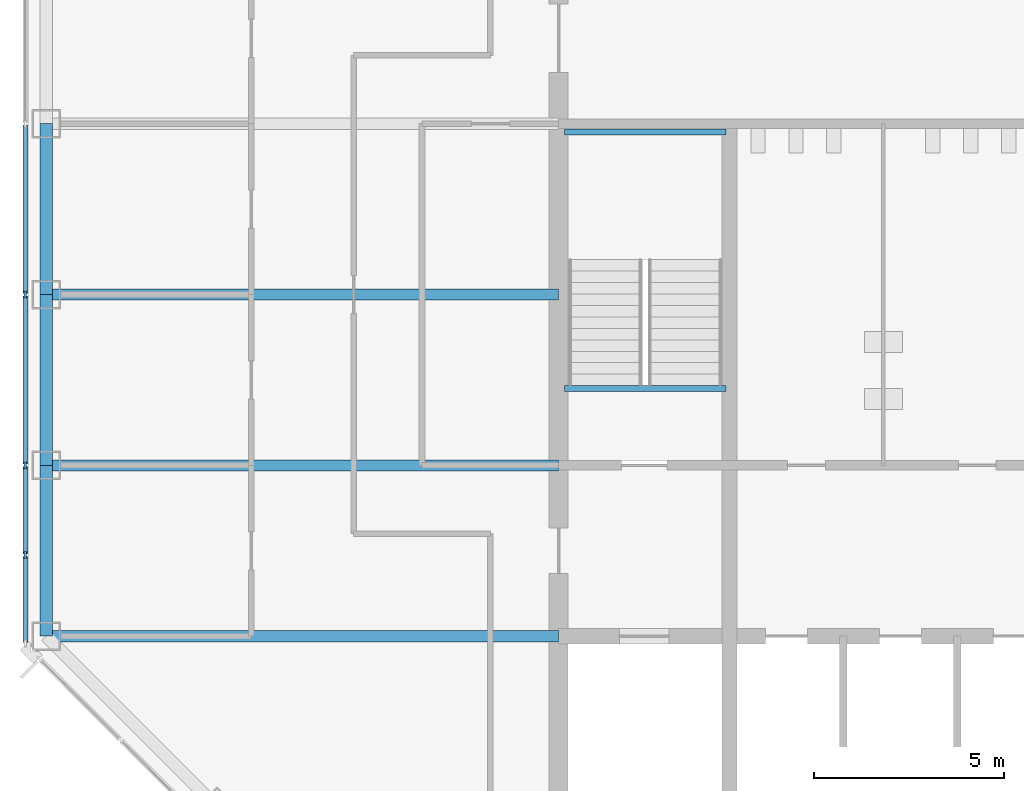
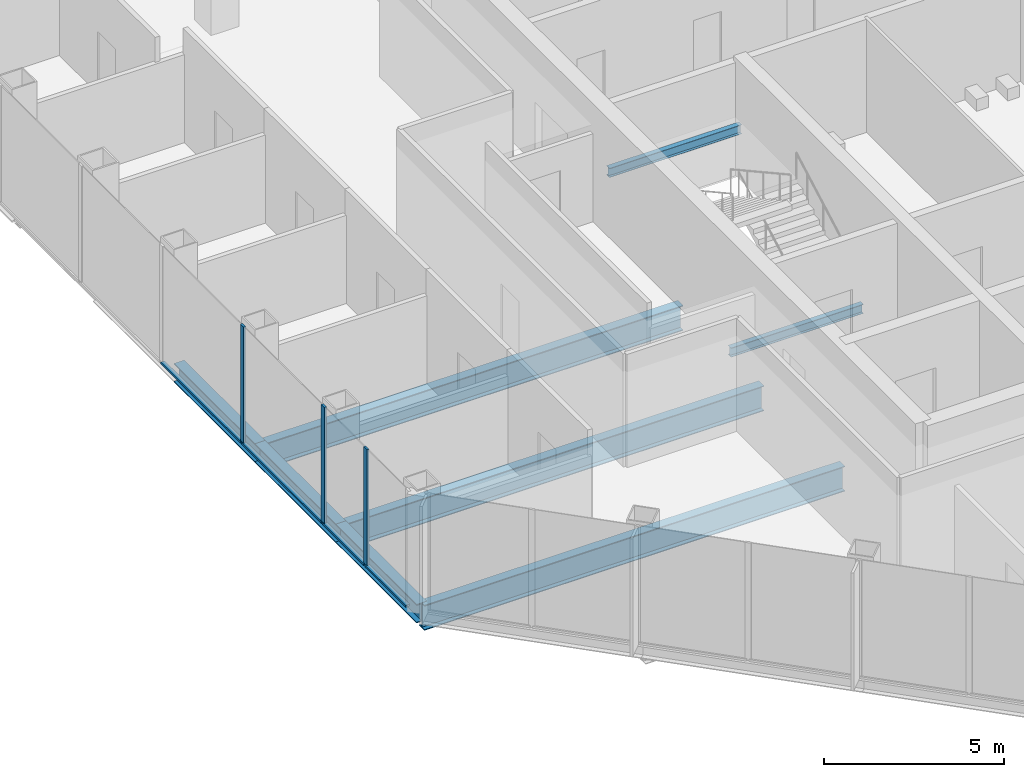
# One storey, part 3 of 13: 8 beams, 7 members, 1 element without a shape of its own.
"""IFC4 building model written with IfcOpenShell, lengths in metres."""

import ifcopenshell
import ifcopenshell.guid

model = None  # the IFC model being written
_history = None  # IfcOwnerHistory: only IFC2X3 demands one
_inside = {}  # id of a spatial element -> (the spatial element, [elements in it])
_under = {}  # id of a project, library or spatial element -> (it, [spatial elements below it])
_declared = {}  # id of a project -> (the project, [libraries it declares])
_typed = {}  # id of a type object -> (the type object, [elements of that type])
_made_of = {}  # id of a material, layer set ... -> (it, [elements and type objects made of it])


def new_model(schema):
    """Start an empty IFC model of exactly this schema.

    Asked for "IFC4X3", IfcOpenShell would pick the latest addendum, in which some entities
    have other attributes; the version numbers below select the first issue.
    IFC2X3 requires an IfcOwnerHistory on every rooted entity: one is made here for all.
    """
    global model, _history
    if schema == "IFC4X3":
        model = ifcopenshell.file(schema_version=(4, 3, 0, 0))
    else:
        model = ifcopenshell.file(schema=schema)
    _inside.clear()
    _under.clear()
    _declared.clear()
    _typed.clear()
    _made_of.clear()
    _history = None
    if model.schema == "IFC2X3":
        org = make("IfcOrganization", Name="unknown")
        user = make(
            "IfcPersonAndOrganization",
            ThePerson=make("IfcPerson", FamilyName="unknown"),
            TheOrganization=org,
        )
        app = make(
            "IfcApplication",
            ApplicationDeveloper=org,
            Version="unknown",
            ApplicationFullName="unknown",
            ApplicationIdentifier="unknown",
        )
        _history = make(
            "IfcOwnerHistory",
            OwningUser=user,
            OwningApplication=app,
            ChangeAction="ADDED",
            CreationDate=0,
        )
    return model


def make(cls, **values):
    """One entity of the class cls with the attributes given. An attribute that is None is left unset."""
    return model.create_entity(
        cls, **{name: value for name, value in values.items() if value is not None}
    )


def rooted(cls, **values):
    """An entity with a GlobalId (a new one), such as an element, a storey or a relation."""
    return make(cls, GlobalId=ifcopenshell.guid.new(), OwnerHistory=_history, **values)


def si_unit(unit_type, name, prefix=None):
    """IfcSIUnit, for example si_unit("LENGTHUNIT", "METRE", prefix="MILLI")."""
    return make("IfcSIUnit", UnitType=unit_type, Prefix=prefix, Name=name)


def assignment(units):
    """IfcUnitAssignment: the units of a project."""
    return None if units is None else make("IfcUnitAssignment", Units=units)


def point(xyz):
    """IfcCartesianPoint."""
    return None if xyz is None else make("IfcCartesianPoint", Coordinates=xyz)


def direction(xyz):
    """IfcDirection."""
    return None if xyz is None else make("IfcDirection", DirectionRatios=xyz)


def frame(location, z_axis=None, x_axis=None):
    """IfcAxis2Placement3D, a coordinate frame: its origin and axes. An axis left out is left unset."""
    return make(
        "IfcAxis2Placement3D",
        Location=point(location),
        Axis=direction(z_axis),
        RefDirection=direction(x_axis),
    )


def frame_2d(location, x_axis=None):
    """IfcAxis2Placement2D, a coordinate frame in the plane: its origin and x axis."""
    return make(
        "IfcAxis2Placement2D", Location=point(location), RefDirection=direction(x_axis)
    )


def origin():
    """The frame at (0, 0, 0) with its axes left unset."""
    return frame((0.0, 0.0, 0.0))


def origin_2d():
    """The frame at (0, 0) in the plane with its x axis left unset."""
    return frame_2d((0.0, 0.0))


def place(relative_to, where):
    """IfcLocalPlacement: puts the frame where relative to a parent placement (None: the world)."""
    return make(
        "IfcLocalPlacement", PlacementRelTo=relative_to, RelativePlacement=where
    )


def context(
    kind, dimensions, precision=None, world=None, true_north=None, identifier=None
):
    """IfcGeometricRepresentationContext, for example the 3D "Model" context."""
    return make(
        "IfcGeometricRepresentationContext",
        ContextIdentifier=identifier,
        ContextType=kind,
        CoordinateSpaceDimension=dimensions,
        Precision=precision,
        WorldCoordinateSystem=world,
        TrueNorth=true_north,
    )


def subcontext(parent, identifier, kind, view, scale=None):
    """IfcGeometricRepresentationSubContext, for example "Body" below "Model"."""
    return make(
        "IfcGeometricRepresentationSubContext",
        ContextIdentifier=identifier,
        ContextType=kind,
        ParentContext=parent,
        TargetScale=scale,
        TargetView=view,
    )


def project(units=None, contexts=None):
    """IfcProject with its units and contexts."""
    return rooted(
        "IfcProject",
        Name="project",
        RepresentationContexts=contexts,
        UnitsInContext=assignment(units),
    )


def spatial(cls, under=None, at=None, **own):
    """A site, building, storey or space (cls), placed at a placement, below another one or the project."""
    s = rooted(cls, ObjectPlacement=at, **own)
    if under is not None:
        _under.setdefault(under.id(), (under, []))[1].append(s)
    return s


def profile(cls, at=None, kind="AREA", **sizes):
    """A parametric profile (cls). Its sizes go by their IFC names, for example OverallWidth=200.0."""
    return make(cls, ProfileType=kind, Position=at, **sizes)


def rectangle(**sizes):
    """IfcRectangleProfileDef."""
    return profile("IfcRectangleProfileDef", **sizes)


def i_section(**sizes):
    """IfcIShapeProfileDef."""
    return profile("IfcIShapeProfileDef", **sizes)


def extrude(swept, where, along, depth):
    """IfcExtrudedAreaSolid: the profile swept, set in the frame where, extruded along a direction by depth."""
    return make(
        "IfcExtrudedAreaSolid",
        SweptArea=swept,
        Position=where,
        ExtrudedDirection=direction(along),
        Depth=depth,
    )


def shape(context_of_items, identifier, shape_type, items):
    """IfcShapeRepresentation: the items that make up one representation, for example the "Body"."""
    return make(
        "IfcShapeRepresentation",
        ContextOfItems=context_of_items,
        RepresentationIdentifier=identifier,
        RepresentationType=shape_type,
        Items=items,
    )


def material(Name=None, Category=None):
    """IfcMaterial."""
    return make("IfcMaterial", Name=Name, Category=Category)


def material_profile(
    of_material, cross_section, Name=None, Category=None, Priority=None
):
    """IfcMaterialProfile: a cross section and its material."""
    return make(
        "IfcMaterialProfile",
        Name=Name,
        Material=of_material,
        Profile=cross_section,
        Priority=Priority,
        Category=Category,
    )


def profile_set(profiles, Name=None, composite=None):
    """IfcMaterialProfileSet."""
    return make(
        "IfcMaterialProfileSet",
        Name=Name,
        MaterialProfiles=profiles,
        CompositeProfile=composite,
    )


def made_of(thing, what):
    """Note that an element or type object is made of a material, layer set ...; save() writes the relation."""
    if what is not None:
        _made_of.setdefault(what.id(), (what, []))[1].append(thing)
    return thing


def type_object(cls, material=None, **own):
    """A type object (cls), such as IfcWallType, which elements share."""
    return made_of(rooted(cls, **own), material)


def element(
    cls,
    number,
    at=None,
    inside=None,
    cuts=None,
    type_object=None,
    material=None,
    context=None,
    identifier="Body",
    shape_type=None,
    held_by="IfcProductDefinitionShape",
    body=None,
    shapes=None,
    **own,
):
    """One element of the class cls, such as IfcWall. Its Tag is "e" and its number.

    at: its placement. inside: the storey or other place that contains it. cuts: it is an
    opening in that element (IfcRelVoidsElement). A single representation is given by context,
    identifier, shape_type and body (its items); several are given by shapes. held_by: the class
    of the entity that holds the representations. save() writes the other relations.
    """
    e = rooted(cls, Tag="e%d" % number, ObjectPlacement=at, **own)
    if body is not None:
        shapes = [shape(context, identifier, shape_type, body)]
    if shapes is not None:
        e.Representation = make(held_by, Representations=shapes)
    if inside is not None:
        _inside.setdefault(inside.id(), (inside, []))[1].append(e)
    if cuts is not None:
        rooted(
            "IfcRelVoidsElement", RelatingBuildingElement=cuts, RelatedOpeningElement=e
        )
    if type_object is not None:
        _typed.setdefault(type_object.id(), (type_object, []))[1].append(e)
    return made_of(e, material)


def aggregate(whole, parts):
    """IfcRelAggregates: a whole, such as a stair, and the parts it consists of."""
    return rooted("IfcRelAggregates", RelatingObject=whole, RelatedObjects=parts)


def save(model, path):
    """Write the relations noted so far, then the file.

    IfcRelAggregates (storeys below a building ...), IfcRelContainedInSpatialStructure (elements
    in a storey), IfcRelDefinesByType, IfcRelAssociatesMaterial and IfcRelDeclares: one each for
    every whole, place, type object, material and project.
    """
    for whole, parts in _under.values():
        aggregate(whole, parts)
    for where, things in _inside.values():
        rooted(
            "IfcRelContainedInSpatialStructure",
            RelatedElements=things,
            RelatingStructure=where,
        )
    for kind, things in _typed.values():
        rooted("IfcRelDefinesByType", RelatedObjects=things, RelatingType=kind)
    for what, things in _made_of.values():
        rooted("IfcRelAssociatesMaterial", RelatedObjects=things, RelatingMaterial=what)
    for by, libraries in _declared.values():
        rooted("IfcRelDeclares", RelatingContext=by, RelatedDefinitions=libraries)
    model.write(path)


model = new_model("IFC4")

# Units and contexts
model_context = context("Model", 3, precision=1e-05, world=origin(), true_north=direction((0.0, 1.0)))
body_context = subcontext(model_context, "Body", "Model", "MODEL_VIEW")
ifc_project = project(units=[si_unit("LENGTHUNIT", "METRE"), si_unit("AREAUNIT", "SQUARE_METRE"), si_unit("VOLUMEUNIT", "CUBIC_METRE"), si_unit("PLANEANGLEUNIT", "RADIAN"), si_unit("MASSUNIT", "GRAM", prefix="KILO")], contexts=[model_context])

# Site, building, storey
site_placement = place(None, origin())
site = spatial("IfcSite", under=ifc_project, at=site_placement, CompositionType="ELEMENT")
building_placement = place(site_placement, origin())
building = spatial("IfcBuilding", under=site, at=building_placement, Name="Corais Broadcast Tower", CompositionType="ELEMENT")
storey_placement = place(building_placement, frame((0.0, 0.0, 151.60009765625)))
storey = spatial("IfcBuildingStorey", under=building, at=storey_placement, Name="L34", CompositionType="ELEMENT", Elevation=151.60009765625)

# Beams
ifc_material_1 = material(Name="Steel ASTM A572 Grade 50", Category="steel")
ifc_material_profile_1 = material_profile(ifc_material_1, i_section(OverallWidth=0.2939453125, OverallDepth=0.85107421875, WebThickness=0.01611328125, FlangeThickness=0.02685546875, at=origin_2d()), Name="W840x226")
ifc_profile_set_1 = profile_set([ifc_material_profile_1], Name="Steel ASTM A572 Grade 50")
beam_type_1 = type_object("IfcBeamType", Name="Floor beam W840x226", PredefinedType="BEAM", material=ifc_profile_set_1)
for number, where, z_axis, x_axis, name in (
    (1, (0.0, 18.0, -0.585693359375), (1.0, 0.0, 0.0), (0.0, 1.0, 0.0), "B1 E/3 to E/6"),
    (2, (0.0, 22.5, -0.585693359375), (1.0, 0.0, 0.0), (0.0, 1.0, 0.0), "B1 F/3 to F/6"),
    (3, (0.0, 27.0, -0.585693359375), (1.0, 0.0, 0.0), (0.0, 1.0, 0.0), "B1 G/3 to G/6"),
):
    element("IfcBeam", number, at=place(storey_placement, frame(where, z_axis=z_axis, x_axis=x_axis)), inside=storey, type_object=beam_type_1, Name=name, PredefinedType="BEAM", context=body_context, shape_type="SweptSolid", body=[
        extrude(i_section(OverallWidth=0.2939453125, OverallDepth=0.85107421875, WebThickness=0.01611328125, FlangeThickness=0.02685546875, at=origin_2d()), origin(), (0.0, 0.0, 1.0), 13.5),
    ])
ifc_material_2 = material(Name="Steel ASTM A572 Grade 50", Category="steel")
ifc_material_profile_2 = material_profile(ifc_material_2, i_section(OverallWidth=0.1650390625, OverallDepth=0.31005859375, WebThickness=0.005859375, FlangeThickness=0.009765625, at=origin_2d()), Name="W310x38.7")
ifc_profile_set_2 = profile_set([ifc_material_profile_2], Name="Steel ASTM A572 Grade 50")
beam_type_2 = type_object("IfcBeamType", Name="Landing trimmer W310x38.7", PredefinedType="BEAM", material=ifc_profile_set_2)
for number, where, z_axis, x_axis, name in (
    (4, (13.64990234375, 24.52490234375, -0.35498046875), (1.0, 0.0, 0.0), (0.0, 1.0, 0.0), "LT1 stair A landing trimmer L34"),
    (5, (13.64990234375, 31.284912109375, 1.64501953125), (1.0, 0.0, 0.0), (0.0, 1.0, 0.0), "LT1 stair A half landing trimmer L34"),
):
    element("IfcBeam", number, at=place(storey_placement, frame(where, z_axis=z_axis, x_axis=x_axis)), inside=storey, type_object=beam_type_2, Name=name, PredefinedType="BEAM", context=body_context, shape_type="SweptSolid", body=[
        extrude(i_section(OverallWidth=0.1650390625, OverallDepth=0.31005859375, WebThickness=0.005859375, FlangeThickness=0.009765625, at=origin_2d()), origin(), (0.0, 0.0, 1.0), 4.25),
    ])

# Curtain wall, members
ifc_material_3 = material(Name="Aluminium and glass", Category="aluminium")
curtain_wall_type = type_object("IfcCurtainWallType", Name="Unitised fritted curtain wall CW2", PredefinedType="NOTDEFINED", material=ifc_material_3)
curtain_wall_placement = place(storey_placement, origin())
curtain_wall = element("IfcCurtainWall", 6, at=curtain_wall_placement, inside=storey, type_object=curtain_wall_type, Name="CW2 curtain wall L34 2", PredefinedType="NOTDEFINED")
ifc_material_4 = material(Name="Aluminium 6063-T6", Category="aluminium")
ifc_material_profile_3 = material_profile(ifc_material_4, rectangle(XDim=0.06494140625, YDim=0.179931640625, at=origin_2d()), Name="Mullion CW2 65x180")
ifc_profile_set_3 = profile_set([ifc_material_profile_3], Name="Aluminium 6063-T6")
member_type_1 = type_object("IfcMemberType", Name="Mullion CW2 65x180", PredefinedType="MULLION", material=ifc_profile_set_3)
member_1_placement = place(storey_placement, frame((-0.550048828125, 20.135986328125, 0.0), z_axis=(0.0, 0.0, 1.0), x_axis=(-1.0, 0.0, 0.0)))
member_1 = element("IfcMember", 7, at=member_1_placement, type_object=member_type_1, Name="CW2 mullion 2", PredefinedType="MULLION", context=body_context, shape_type="SweptSolid", body=[
    extrude(rectangle(XDim=0.06494140625, YDim=0.179931640625, at=origin_2d()), origin(), (0.0, 0.0, 1.0), 4.0),
])
member_2_placement = place(storey_placement, frame((-0.550048828125, 22.5, 0.0), z_axis=(0.0, 0.0, 1.0), x_axis=(-1.0, 0.0, 0.0)))
member_2 = element("IfcMember", 8, at=member_2_placement, type_object=member_type_1, Name="CW2 mullion 3", PredefinedType="MULLION", context=body_context, shape_type="SweptSolid", body=[
    extrude(rectangle(XDim=0.06494140625, YDim=0.179931640625, at=origin_2d()), origin(), (0.0, 0.0, 1.0), 4.0),
])
member_3_placement = place(storey_placement, frame((-0.550048828125, 27.0, 0.0), z_axis=(0.0, 0.0, 1.0), x_axis=(-1.0, 0.0, 0.0)))
member_3 = element("IfcMember", 9, at=member_3_placement, type_object=member_type_1, Name="CW2 mullion 4", PredefinedType="MULLION", context=body_context, shape_type="SweptSolid", body=[
    extrude(rectangle(XDim=0.06494140625, YDim=0.179931640625, at=origin_2d()), origin(), (0.0, 0.0, 1.0), 4.0),
])

# Beams
ifc_material_5 = material(Name="Steel ASTM A572 Grade 50", Category="steel")
ifc_material_profile_4 = material_profile(ifc_material_5, i_section(OverallWidth=0.3291015625, OverallDepth=0.635009765625, WebThickness=0.017822265625, FlangeThickness=0.031005859375, at=origin_2d()), Name="W610x241")
ifc_profile_set_4 = profile_set([ifc_material_profile_4], Name="Steel ASTM A572 Grade 50")
beam_type_3 = type_object("IfcBeamType", Name="Spandrel W610x241", PredefinedType="BEAM", material=ifc_profile_set_4)
for number, where, z_axis, x_axis, name in (
    (10, (0.0, 22.5, -0.4775390625), (0.0, -1.0, 0.0), (1.0, 0.0, 0.0), "SB1 F/3 to E/3"),
    (11, (0.0, 27.0, -0.4775390625), (0.0, -1.0, 0.0), (1.0, 0.0, 0.0), "SB1 G/3 to F/3"),
    (12, (0.0, 31.5, -0.4775390625), (0.0, -1.0, 0.0), (1.0, 0.0, 0.0), "SB1 H/3 to G/3"),
):
    element("IfcBeam", number, at=place(storey_placement, frame(where, z_axis=z_axis, x_axis=x_axis)), inside=storey, type_object=beam_type_3, Name=name, PredefinedType="BEAM", context=body_context, shape_type="SweptSolid", body=[
        extrude(i_section(OverallWidth=0.3291015625, OverallDepth=0.635009765625, WebThickness=0.017822265625, FlangeThickness=0.031005859375, at=origin_2d()), origin(), (0.0, 0.0, 1.0), 4.5),
    ])

# Member
ifc_material_6 = material(Name="Aluminium 6063-T6", Category="aluminium")
ifc_material_profile_5 = material_profile(ifc_material_6, rectangle(XDim=0.1298828125, YDim=0.06494140625, at=origin_2d()), Name="Transom CW2 65x130")
ifc_profile_set_5 = profile_set([ifc_material_profile_5], Name="Aluminium 6063-T6")
member_type_2 = type_object("IfcMemberType", Name="Transom CW2 65x130", PredefinedType="USERDEFINED", material=ifc_profile_set_5)
member_4_placement = place(storey_placement, frame((-0.550048828125, 17.837158203125, 0.032470703125), z_axis=(0.0, 1.0, 0.0), x_axis=(-1.0, 0.0, 0.0)))
member_4 = element("IfcMember", 13, at=member_4_placement, type_object=member_type_2, Name="CW2 transom 1.1", ObjectType="TRANSOM", PredefinedType="USERDEFINED", context=body_context, shape_type="SweptSolid", body=[
    extrude(rectangle(XDim=0.1298828125, YDim=0.06494140625, at=origin_2d()), origin(), (0.0, 0.0, 1.0), 2.266357421875),
])

member_5_placement = place(storey_placement, frame((-0.550048828125, 20.168701171875, 0.032470703125), z_axis=(0.0, 1.0, 0.0), x_axis=(-1.0, 0.0, 0.0)))
member_5 = element("IfcMember", 14, at=member_5_placement, type_object=member_type_2, Name="CW2 transom 2.1", ObjectType="TRANSOM", PredefinedType="USERDEFINED", context=body_context, shape_type="SweptSolid", body=[
    extrude(rectangle(XDim=0.1298828125, YDim=0.06494140625, at=origin_2d()), origin(), (0.0, 0.0, 1.0), 2.298828125),
])

member_6_placement = place(storey_placement, frame((-0.550048828125, 22.532470703125, 0.032470703125), z_axis=(0.0, 1.0, 0.0), x_axis=(-1.0, 0.0, 0.0)))
member_6 = element("IfcMember", 15, at=member_6_placement, type_object=member_type_2, Name="CW2 transom 3.1", ObjectType="TRANSOM", PredefinedType="USERDEFINED", context=body_context, shape_type="SweptSolid", body=[
    extrude(rectangle(XDim=0.1298828125, YDim=0.06494140625, at=origin_2d()), origin(), (0.0, 0.0, 1.0), 4.43505859375),
])

member_7_placement = place(storey_placement, frame((-0.550048828125, 27.032470703125, 0.032470703125), z_axis=(0.0, 1.0, 0.0), x_axis=(-1.0, 0.0, 0.0)))
member_7 = element("IfcMember", 16, at=member_7_placement, type_object=member_type_2, Name="CW2 transom 4.1", ObjectType="TRANSOM", PredefinedType="USERDEFINED", context=body_context, shape_type="SweptSolid", body=[
    extrude(rectangle(XDim=0.1298828125, YDim=0.06494140625, at=origin_2d()), origin(), (0.0, 0.0, 1.0), 4.43505859375),
])

aggregate(curtain_wall, [member_1, member_2, member_3, member_4, member_5, member_6, member_7])

save(model, "model.ifc")
